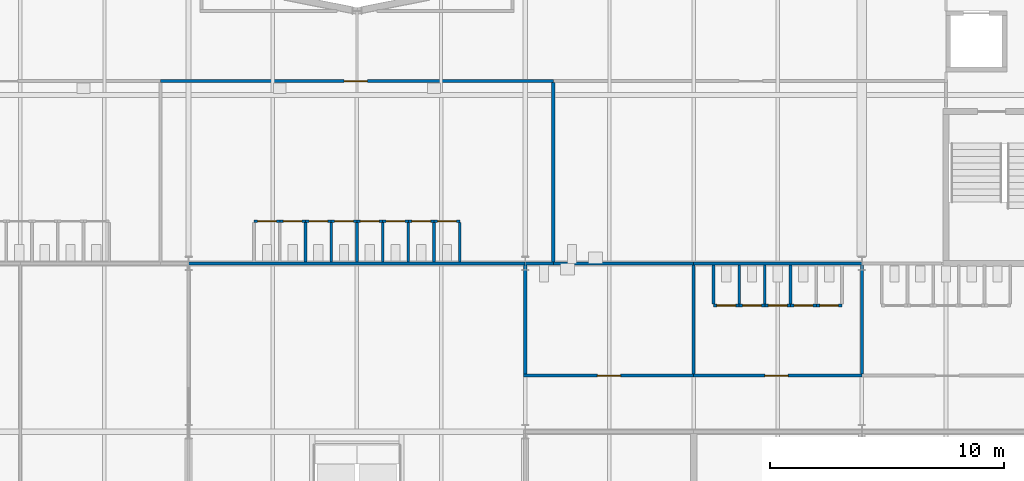
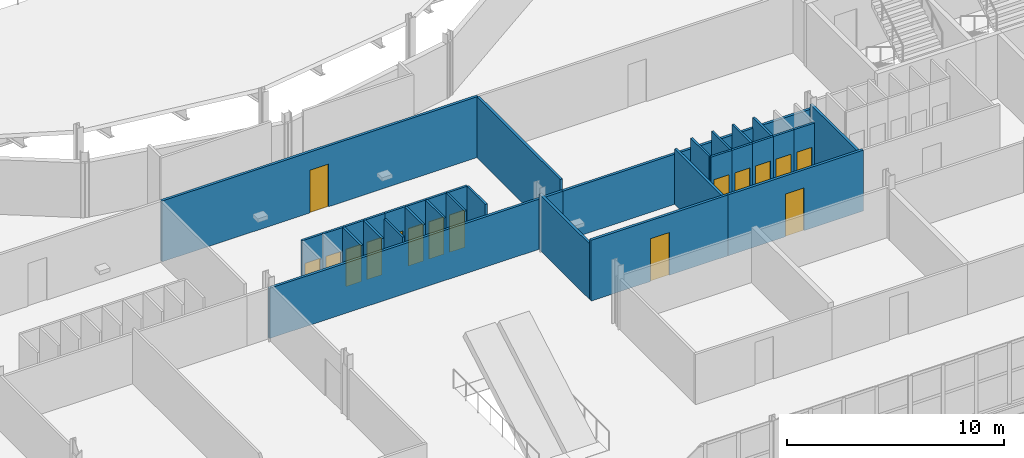
# One storey, part 65 of 124: 35 walls, 16 doors, 16 openings.
"""IFC4 building model written with IfcOpenShell, lengths in metres."""

import ifcopenshell
import ifcopenshell.guid

model = None  # the IFC model being written
_history = None  # IfcOwnerHistory: only IFC2X3 demands one
_inside = {}  # id of a spatial element -> (the spatial element, [elements in it])
_under = {}  # id of a project, library or spatial element -> (it, [spatial elements below it])
_declared = {}  # id of a project -> (the project, [libraries it declares])
_typed = {}  # id of a type object -> (the type object, [elements of that type])
_made_of = {}  # id of a material, layer set ... -> (it, [elements and type objects made of it])


def new_model(schema):
    """Start an empty IFC model of exactly this schema.

    Asked for "IFC4X3", IfcOpenShell would pick the latest addendum, in which some entities
    have other attributes; the version numbers below select the first issue.
    IFC2X3 requires an IfcOwnerHistory on every rooted entity: one is made here for all.
    """
    global model, _history
    if schema == "IFC4X3":
        model = ifcopenshell.file(schema_version=(4, 3, 0, 0))
    else:
        model = ifcopenshell.file(schema=schema)
    _inside.clear()
    _under.clear()
    _declared.clear()
    _typed.clear()
    _made_of.clear()
    _history = None
    if model.schema == "IFC2X3":
        org = make("IfcOrganization", Name="unknown")
        user = make(
            "IfcPersonAndOrganization",
            ThePerson=make("IfcPerson", FamilyName="unknown"),
            TheOrganization=org,
        )
        app = make(
            "IfcApplication",
            ApplicationDeveloper=org,
            Version="unknown",
            ApplicationFullName="unknown",
            ApplicationIdentifier="unknown",
        )
        _history = make(
            "IfcOwnerHistory",
            OwningUser=user,
            OwningApplication=app,
            ChangeAction="ADDED",
            CreationDate=0,
        )
    return model


def make(cls, **values):
    """One entity of the class cls with the attributes given. An attribute that is None is left unset."""
    return model.create_entity(
        cls, **{name: value for name, value in values.items() if value is not None}
    )


def rooted(cls, **values):
    """An entity with a GlobalId (a new one), such as an element, a storey or a relation."""
    return make(cls, GlobalId=ifcopenshell.guid.new(), OwnerHistory=_history, **values)


def si_unit(unit_type, name, prefix=None):
    """IfcSIUnit, for example si_unit("LENGTHUNIT", "METRE", prefix="MILLI")."""
    return make("IfcSIUnit", UnitType=unit_type, Prefix=prefix, Name=name)


def assignment(units):
    """IfcUnitAssignment: the units of a project."""
    return None if units is None else make("IfcUnitAssignment", Units=units)


def point(xyz):
    """IfcCartesianPoint."""
    return None if xyz is None else make("IfcCartesianPoint", Coordinates=xyz)


def direction(xyz):
    """IfcDirection."""
    return None if xyz is None else make("IfcDirection", DirectionRatios=xyz)


def frame(location, z_axis=None, x_axis=None):
    """IfcAxis2Placement3D, a coordinate frame: its origin and axes. An axis left out is left unset."""
    return make(
        "IfcAxis2Placement3D",
        Location=point(location),
        Axis=direction(z_axis),
        RefDirection=direction(x_axis),
    )


def frame_2d(location, x_axis=None):
    """IfcAxis2Placement2D, a coordinate frame in the plane: its origin and x axis."""
    return make(
        "IfcAxis2Placement2D", Location=point(location), RefDirection=direction(x_axis)
    )


def origin():
    """The frame at (0, 0, 0) with its axes left unset."""
    return frame((0.0, 0.0, 0.0))


def place(relative_to, where):
    """IfcLocalPlacement: puts the frame where relative to a parent placement (None: the world)."""
    return make(
        "IfcLocalPlacement", PlacementRelTo=relative_to, RelativePlacement=where
    )


def context(
    kind, dimensions, precision=None, world=None, true_north=None, identifier=None
):
    """IfcGeometricRepresentationContext, for example the 3D "Model" context."""
    return make(
        "IfcGeometricRepresentationContext",
        ContextIdentifier=identifier,
        ContextType=kind,
        CoordinateSpaceDimension=dimensions,
        Precision=precision,
        WorldCoordinateSystem=world,
        TrueNorth=true_north,
    )


def subcontext(parent, identifier, kind, view, scale=None):
    """IfcGeometricRepresentationSubContext, for example "Body" below "Model"."""
    return make(
        "IfcGeometricRepresentationSubContext",
        ContextIdentifier=identifier,
        ContextType=kind,
        ParentContext=parent,
        TargetScale=scale,
        TargetView=view,
    )


def project(units=None, contexts=None):
    """IfcProject with its units and contexts."""
    return rooted(
        "IfcProject",
        Name="project",
        RepresentationContexts=contexts,
        UnitsInContext=assignment(units),
    )


def spatial(cls, under=None, at=None, **own):
    """A site, building, storey or space (cls), placed at a placement, below another one or the project."""
    s = rooted(cls, ObjectPlacement=at, **own)
    if under is not None:
        _under.setdefault(under.id(), (under, []))[1].append(s)
    return s


def profile(cls, at=None, kind="AREA", **sizes):
    """A parametric profile (cls). Its sizes go by their IFC names, for example OverallWidth=200.0."""
    return make(cls, ProfileType=kind, Position=at, **sizes)


def rectangle(**sizes):
    """IfcRectangleProfileDef."""
    return profile("IfcRectangleProfileDef", **sizes)


def extrude(swept, where, along, depth):
    """IfcExtrudedAreaSolid: the profile swept, set in the frame where, extruded along a direction by depth."""
    return make(
        "IfcExtrudedAreaSolid",
        SweptArea=swept,
        Position=where,
        ExtrudedDirection=direction(along),
        Depth=depth,
    )


def shape(context_of_items, identifier, shape_type, items):
    """IfcShapeRepresentation: the items that make up one representation, for example the "Body"."""
    return make(
        "IfcShapeRepresentation",
        ContextOfItems=context_of_items,
        RepresentationIdentifier=identifier,
        RepresentationType=shape_type,
        Items=items,
    )


def material(Name=None, Category=None):
    """IfcMaterial."""
    return make("IfcMaterial", Name=Name, Category=Category)


def layer(
    of_material, thickness, ventilated=None, Name=None, Category=None, Priority=None
):
    """IfcMaterialLayer: one layer of a wall or slab, of a material (None: an air gap)."""
    return make(
        "IfcMaterialLayer",
        Material=of_material,
        LayerThickness=thickness,
        IsVentilated=ventilated,
        Name=Name,
        Category=Category,
        Priority=Priority,
    )


def layer_set(layers, Name=None):
    """IfcMaterialLayerSet."""
    return make("IfcMaterialLayerSet", MaterialLayers=layers, LayerSetName=Name)


def made_of(thing, what):
    """Note that an element or type object is made of a material, layer set ...; save() writes the relation."""
    if what is not None:
        _made_of.setdefault(what.id(), (what, []))[1].append(thing)
    return thing


def type_object(cls, material=None, **own):
    """A type object (cls), such as IfcWallType, which elements share."""
    return made_of(rooted(cls, **own), material)


def element(
    cls,
    number,
    at=None,
    inside=None,
    cuts=None,
    type_object=None,
    material=None,
    context=None,
    identifier="Body",
    shape_type=None,
    held_by="IfcProductDefinitionShape",
    body=None,
    shapes=None,
    **own,
):
    """One element of the class cls, such as IfcWall. Its Tag is "e" and its number.

    at: its placement. inside: the storey or other place that contains it. cuts: it is an
    opening in that element (IfcRelVoidsElement). A single representation is given by context,
    identifier, shape_type and body (its items); several are given by shapes. held_by: the class
    of the entity that holds the representations. save() writes the other relations.
    """
    e = rooted(cls, Tag="e%d" % number, ObjectPlacement=at, **own)
    if body is not None:
        shapes = [shape(context, identifier, shape_type, body)]
    if shapes is not None:
        e.Representation = make(held_by, Representations=shapes)
    if inside is not None:
        _inside.setdefault(inside.id(), (inside, []))[1].append(e)
    if cuts is not None:
        rooted(
            "IfcRelVoidsElement", RelatingBuildingElement=cuts, RelatedOpeningElement=e
        )
    if type_object is not None:
        _typed.setdefault(type_object.id(), (type_object, []))[1].append(e)
    return made_of(e, material)


def fill(opening, filler):
    """IfcRelFillsElement: the door or window that sits in an opening."""
    return rooted(
        "IfcRelFillsElement",
        RelatingOpeningElement=opening,
        RelatedBuildingElement=filler,
    )


def aggregate(whole, parts):
    """IfcRelAggregates: a whole, such as a stair, and the parts it consists of."""
    return rooted("IfcRelAggregates", RelatingObject=whole, RelatedObjects=parts)


def save(model, path):
    """Write the relations noted so far, then the file.

    IfcRelAggregates (storeys below a building ...), IfcRelContainedInSpatialStructure (elements
    in a storey), IfcRelDefinesByType, IfcRelAssociatesMaterial and IfcRelDeclares: one each for
    every whole, place, type object, material and project.
    """
    for whole, parts in _under.values():
        aggregate(whole, parts)
    for where, things in _inside.values():
        rooted(
            "IfcRelContainedInSpatialStructure",
            RelatedElements=things,
            RelatingStructure=where,
        )
    for kind, things in _typed.values():
        rooted("IfcRelDefinesByType", RelatedObjects=things, RelatingType=kind)
    for what, things in _made_of.values():
        rooted("IfcRelAssociatesMaterial", RelatedObjects=things, RelatingMaterial=what)
    for by, libraries in _declared.values():
        rooted("IfcRelDeclares", RelatingContext=by, RelatedDefinitions=libraries)
    model.write(path)


model = new_model("IFC4")

# Units and contexts
model_context = context("Model", 3, precision=1e-05, world=origin(), true_north=direction((0.0, 1.0)))
body_context = subcontext(model_context, "Body", "Model", "MODEL_VIEW")
ifc_project = project(units=[si_unit("LENGTHUNIT", "METRE"), si_unit("AREAUNIT", "SQUARE_METRE"), si_unit("VOLUMEUNIT", "CUBIC_METRE"), si_unit("PLANEANGLEUNIT", "RADIAN"), si_unit("MASSUNIT", "GRAM", prefix="KILO")], contexts=[model_context])

# Site, building, storey
site_placement = place(None, origin())
site = spatial("IfcSite", under=ifc_project, at=site_placement, CompositionType="ELEMENT")
building_placement = place(site_placement, origin())
building = spatial("IfcBuilding", under=site, at=building_placement, Name="Kupolbacken Congress Centre", CompositionType="ELEMENT")
storey_placement = place(building_placement, frame((0.0, 0.0, 10.800048828125)))
storey = spatial("IfcBuildingStorey", under=building, at=storey_placement, Name="L03", CompositionType="ELEMENT", Elevation=10.800048828125)

# Wall, opening, door
ifc_material_1 = material(Name="Gypsum board", Category="drywall")
ifc_layer_1 = layer(ifc_material_1, 0.114990234375)
ifc_layer_set_1 = layer_set([ifc_layer_1], Name="Gypsum board")
wall_type_1 = type_object("IfcWallType", Name="P04 partition 115", PredefinedType="PARTITIONING", material=ifc_layer_set_1)
wall_1_placement = place(storey_placement, frame((58.449951171875, 48.60009765625, 0.0), z_axis=(0.0, 0.0, 1.0), x_axis=(1.0, 0.0, 0.0)))
wall_1 = element("IfcWall", 1, at=wall_1_placement, inside=storey, type_object=wall_type_1, Name="PD/L03/F-WC-02/cub01/F", PredefinedType="PARTITIONING", context=body_context, shape_type="SweptSolid", body=[
    extrude(rectangle(XDim=1.10009765625, YDim=0.114990234375, at=frame_2d((0.550048828125, 0.0))), origin(), (0.0, 0.0, 1.0), 3.419921875),
])
opening_1_placement = place(wall_1_placement, frame((0.14990234375, 0.0, 0.0)))
opening_1 = element("IfcOpeningElement", 2, at=opening_1_placement, cuts=wall_1, Name="Opening 3.WF69", PredefinedType="OPENING", context=body_context, shape_type="SweptSolid", body=[
    extrude(rectangle(XDim=0.800048828125, YDim=2.10009765625, at=frame_2d((0.39990234375, 1.050048828125))), frame((0.0, 0.0673828125, 0.0), z_axis=(0.0, -1.0, 0.0), x_axis=(1.0, 0.0, 0.0)), (0.0, 0.0, 1.0), 0.135009765625),
])
ifc_material_2 = material(Name="Timber door leaf", Category="wood")
door_type_1 = type_object("IfcDoorType", Name="D2 door 800x2100", OperationType="SINGLE_SWING_LEFT", PredefinedType="DOOR", material=ifc_material_2)
door_1_placement = place(opening_1_placement, origin())
door_1 = element("IfcDoor", 3, at=door_1_placement, inside=storey, type_object=door_type_1, Name="PD/L03/F-WC-02/cub01/F/DC", OperationType="SINGLE_SWING_RIGHT", OverallHeight=2.10009765625, OverallWidth=0.800048828125, PredefinedType="DOOR", context=body_context, shape_type="SweptSolid", body=[
    extrude(rectangle(XDim=0.800048828125, YDim=2.10009765625, at=frame_2d((0.39990234375, 1.050048828125))), frame((0.0, 0.02490234375, 0.0), z_axis=(0.0, -1.0, 0.0), x_axis=(1.0, 0.0, 0.0)), (0.0, 0.0, 1.0), 0.050048828125),
])
fill(opening_1, door_1)

# Wall
wall_2_placement = place(storey_placement, frame((58.449951171875, 50.342529296875, 0.0), z_axis=(0.0, 0.0, 1.0), x_axis=(0.0, -1.0, 0.0)))
element("IfcWall", 4, at=wall_2_placement, inside=storey, type_object=wall_type_1, Name="PD/L03/F-WC-02/cub01/a", PredefinedType="PARTITIONING", context=body_context, shape_type="SweptSolid", body=[
    extrude(rectangle(XDim=1.68505859375, YDim=0.114990234375, at=frame_2d((0.842529296875, 0.0))), origin(), (0.0, 0.0, 1.0), 3.419921875),
])

# Wall, opening, door
wall_3_placement = place(storey_placement, frame((59.550048828125, 48.60009765625, 0.0), z_axis=(0.0, 0.0, 1.0), x_axis=(1.0, 0.0, 0.0)))
wall_3 = element("IfcWall", 5, at=wall_3_placement, inside=storey, type_object=wall_type_1, Name="PD/L03/F-WC-02/cub02/F", PredefinedType="PARTITIONING", context=body_context, shape_type="SweptSolid", body=[
    extrude(rectangle(XDim=1.099853515625, YDim=0.114990234375, at=frame_2d((0.5498046875, 0.0))), origin(), (0.0, 0.0, 1.0), 3.419921875),
])
opening_2_placement = place(wall_3_placement, frame((0.14990234375, 0.0, 0.0)))
opening_2 = element("IfcOpeningElement", 6, at=opening_2_placement, cuts=wall_3, Name="Opening 3.WF70", PredefinedType="OPENING", context=body_context, shape_type="SweptSolid", body=[
    extrude(rectangle(XDim=0.800048828125, YDim=2.10009765625, at=frame_2d((0.39990234375, 1.050048828125))), frame((0.0, 0.0673828125, 0.0), z_axis=(0.0, -1.0, 0.0), x_axis=(1.0, 0.0, 0.0)), (0.0, 0.0, 1.0), 0.135009765625),
])
door_2_placement = place(opening_2_placement, origin())
door_2 = element("IfcDoor", 7, at=door_2_placement, inside=storey, type_object=door_type_1, Name="PD/L03/F-WC-02/cub02/F/DC", OperationType="SINGLE_SWING_LEFT", OverallHeight=2.10009765625, OverallWidth=0.800048828125, PredefinedType="DOOR", context=body_context, shape_type="SweptSolid", body=[
    extrude(rectangle(XDim=0.800048828125, YDim=2.10009765625, at=frame_2d((0.39990234375, 1.050048828125))), frame((0.0, 0.02490234375, 0.0), z_axis=(0.0, -1.0, 0.0), x_axis=(1.0, 0.0, 0.0)), (0.0, 0.0, 1.0), 0.050048828125),
])
fill(opening_2, door_2)

# Wall
wall_4_placement = place(storey_placement, frame((59.550048828125, 50.342529296875, 0.0), z_axis=(0.0, 0.0, 1.0), x_axis=(0.0, -1.0, 0.0)))
element("IfcWall", 8, at=wall_4_placement, inside=storey, type_object=wall_type_1, Name="PD/L03/F-WC-02/cub02/a", PredefinedType="PARTITIONING", context=body_context, shape_type="SweptSolid", body=[
    extrude(rectangle(XDim=1.68505859375, YDim=0.114990234375, at=frame_2d((0.842529296875, 0.0))), origin(), (0.0, 0.0, 1.0), 3.419921875),
])

# Wall, opening, door
wall_5_placement = place(storey_placement, frame((60.64990234375, 48.60009765625, 0.0), z_axis=(0.0, 0.0, 1.0), x_axis=(1.0, 0.0, 0.0)))
wall_5 = element("IfcWall", 9, at=wall_5_placement, inside=storey, type_object=wall_type_1, Name="PD/L03/F-WC-02/cub03/F", PredefinedType="PARTITIONING", context=body_context, shape_type="SweptSolid", body=[
    extrude(rectangle(XDim=1.10009765625, YDim=0.114990234375, at=frame_2d((0.550048828125, 0.0))), origin(), (0.0, 0.0, 1.0), 3.419921875),
])
opening_3_placement = place(wall_5_placement, frame((0.14990234375, 0.0, 0.0)))
opening_3 = element("IfcOpeningElement", 10, at=opening_3_placement, cuts=wall_5, Name="Opening 3.WF71", PredefinedType="OPENING", context=body_context, shape_type="SweptSolid", body=[
    extrude(rectangle(XDim=0.800048828125, YDim=2.10009765625, at=frame_2d((0.39990234375, 1.050048828125))), frame((0.0, 0.0673828125, 0.0), z_axis=(0.0, -1.0, 0.0), x_axis=(1.0, 0.0, 0.0)), (0.0, 0.0, 1.0), 0.135009765625),
])
door_3_placement = place(opening_3_placement, origin())
door_3 = element("IfcDoor", 11, at=door_3_placement, inside=storey, type_object=door_type_1, Name="PD/L03/F-WC-02/cub03/F/DC", OperationType="SINGLE_SWING_RIGHT", OverallHeight=2.10009765625, OverallWidth=0.800048828125, PredefinedType="DOOR", context=body_context, shape_type="SweptSolid", body=[
    extrude(rectangle(XDim=0.800048828125, YDim=2.10009765625, at=frame_2d((0.39990234375, 1.050048828125))), frame((0.0, 0.02490234375, 0.0), z_axis=(0.0, -1.0, 0.0), x_axis=(1.0, 0.0, 0.0)), (0.0, 0.0, 1.0), 0.050048828125),
])
fill(opening_3, door_3)

# Wall
wall_6_placement = place(storey_placement, frame((60.64990234375, 50.342529296875, 0.0), z_axis=(0.0, 0.0, 1.0), x_axis=(0.0, -1.0, 0.0)))
element("IfcWall", 12, at=wall_6_placement, inside=storey, type_object=wall_type_1, Name="PD/L03/F-WC-02/cub03/a", PredefinedType="PARTITIONING", context=body_context, shape_type="SweptSolid", body=[
    extrude(rectangle(XDim=1.68505859375, YDim=0.114990234375, at=frame_2d((0.842529296875, 0.0))), origin(), (0.0, 0.0, 1.0), 3.419921875),
])

# Wall, opening, door
wall_7_placement = place(storey_placement, frame((61.75, 48.60009765625, 0.0), z_axis=(0.0, 0.0, 1.0), x_axis=(1.0, 0.0, 0.0)))
wall_7 = element("IfcWall", 13, at=wall_7_placement, inside=storey, type_object=wall_type_1, Name="PD/L03/F-WC-02/cub04/F", PredefinedType="PARTITIONING", context=body_context, shape_type="SweptSolid", body=[
    extrude(rectangle(XDim=1.10009765625, YDim=0.114990234375, at=frame_2d((0.550048828125, 0.0))), origin(), (0.0, 0.0, 1.0), 3.419921875),
])
opening_4_placement = place(wall_7_placement, frame((0.14990234375, 0.0, 0.0)))
opening_4 = element("IfcOpeningElement", 14, at=opening_4_placement, cuts=wall_7, Name="Opening 3.WF72", PredefinedType="OPENING", context=body_context, shape_type="SweptSolid", body=[
    extrude(rectangle(XDim=0.800048828125, YDim=2.10009765625, at=frame_2d((0.39990234375, 1.050048828125))), frame((0.0, 0.0673828125, 0.0), z_axis=(0.0, -1.0, 0.0), x_axis=(1.0, 0.0, 0.0)), (0.0, 0.0, 1.0), 0.135009765625),
])
door_4_placement = place(opening_4_placement, origin())
door_4 = element("IfcDoor", 15, at=door_4_placement, inside=storey, type_object=door_type_1, Name="PD/L03/F-WC-02/cub04/F/DC", OperationType="SINGLE_SWING_LEFT", OverallHeight=2.10009765625, OverallWidth=0.800048828125, PredefinedType="DOOR", context=body_context, shape_type="SweptSolid", body=[
    extrude(rectangle(XDim=0.800048828125, YDim=2.10009765625, at=frame_2d((0.39990234375, 1.050048828125))), frame((0.0, 0.02490234375, 0.0), z_axis=(0.0, -1.0, 0.0), x_axis=(1.0, 0.0, 0.0)), (0.0, 0.0, 1.0), 0.050048828125),
])
fill(opening_4, door_4)

# Wall
wall_8_placement = place(storey_placement, frame((61.75, 50.342529296875, 0.0), z_axis=(0.0, 0.0, 1.0), x_axis=(0.0, -1.0, 0.0)))
element("IfcWall", 16, at=wall_8_placement, inside=storey, type_object=wall_type_1, Name="PD/L03/F-WC-02/cub04/a", PredefinedType="PARTITIONING", context=body_context, shape_type="SweptSolid", body=[
    extrude(rectangle(XDim=1.68505859375, YDim=0.114990234375, at=frame_2d((0.842529296875, 0.0))), origin(), (0.0, 0.0, 1.0), 3.419921875),
])

# Wall, opening, door
wall_9_placement = place(storey_placement, frame((62.85009765625, 48.60009765625, 0.0), z_axis=(0.0, 0.0, 1.0), x_axis=(1.0, 0.0, 0.0)))
wall_9 = element("IfcWall", 17, at=wall_9_placement, inside=storey, type_object=wall_type_1, Name="PD/L03/F-WC-02/cub05/F", PredefinedType="PARTITIONING", context=body_context, shape_type="SweptSolid", body=[
    extrude(rectangle(XDim=1.099853515625, YDim=0.114990234375, at=frame_2d((0.5498046875, 0.0))), origin(), (0.0, 0.0, 1.0), 3.419921875),
])
opening_5_placement = place(wall_9_placement, frame((0.14990234375, 0.0, 0.0)))
opening_5 = element("IfcOpeningElement", 18, at=opening_5_placement, cuts=wall_9, Name="Opening 3.WF73", PredefinedType="OPENING", context=body_context, shape_type="SweptSolid", body=[
    extrude(rectangle(XDim=0.800048828125, YDim=2.10009765625, at=frame_2d((0.39990234375, 1.050048828125))), frame((0.0, 0.0673828125, 0.0), z_axis=(0.0, -1.0, 0.0), x_axis=(1.0, 0.0, 0.0)), (0.0, 0.0, 1.0), 0.135009765625),
])
door_5_placement = place(opening_5_placement, origin())
door_5 = element("IfcDoor", 19, at=door_5_placement, inside=storey, type_object=door_type_1, Name="PD/L03/F-WC-02/cub05/F/DC", OperationType="SINGLE_SWING_LEFT", OverallHeight=2.10009765625, OverallWidth=0.800048828125, PredefinedType="DOOR", context=body_context, shape_type="SweptSolid", body=[
    extrude(rectangle(XDim=0.800048828125, YDim=2.10009765625, at=frame_2d((0.39990234375, 1.050048828125))), frame((0.0, 0.02490234375, 0.0), z_axis=(0.0, -1.0, 0.0), x_axis=(1.0, 0.0, 0.0)), (0.0, 0.0, 1.0), 0.050048828125),
])
fill(opening_5, door_5)

wall_10_placement = place(storey_placement, frame((38.800048828125, 52.199951171875, 0.0), z_axis=(0.0, 0.0, 1.0), x_axis=(1.0, 0.0, 0.0)))
wall_10 = element("IfcWall", 20, at=wall_10_placement, inside=storey, type_object=wall_type_1, Name="PD/L03/P-32-14/cub01/F", PredefinedType="PARTITIONING", context=body_context, shape_type="SweptSolid", body=[
    extrude(rectangle(XDim=1.099853515625, YDim=0.114990234375, at=frame_2d((0.5498046875, 0.0))), origin(), (0.0, 0.0, 1.0), 3.419921875),
])
opening_6_placement = place(wall_10_placement, frame((0.14990234375, 0.0, 0.0)))
opening_6 = element("IfcOpeningElement", 21, at=opening_6_placement, cuts=wall_10, Name="Opening 3.WP87", PredefinedType="OPENING", context=body_context, shape_type="SweptSolid", body=[
    extrude(rectangle(XDim=0.800048828125, YDim=2.10009765625, at=frame_2d((0.39990234375, 1.050048828125))), frame((0.0, 0.0673828125, 0.0), z_axis=(0.0, -1.0, 0.0), x_axis=(1.0, 0.0, 0.0)), (0.0, 0.0, 1.0), 0.135009765625),
])
door_6_placement = place(opening_6_placement, origin())
door_6 = element("IfcDoor", 22, at=door_6_placement, inside=storey, type_object=door_type_1, Name="PD/L03/P-32-14/cub01/F/DC", OperationType="SINGLE_SWING_LEFT", OverallHeight=2.10009765625, OverallWidth=0.800048828125, PredefinedType="DOOR", context=body_context, shape_type="SweptSolid", body=[
    extrude(rectangle(XDim=0.800048828125, YDim=2.10009765625, at=frame_2d((0.39990234375, 1.050048828125))), frame((0.0, 0.02490234375, 0.0), z_axis=(0.0, -1.0, 0.0), x_axis=(1.0, 0.0, 0.0)), (0.0, 0.0, 1.0), 0.050048828125),
])
fill(opening_6, door_6)

wall_11_placement = place(storey_placement, frame((39.89990234375, 52.199951171875, 0.0), z_axis=(0.0, 0.0, 1.0), x_axis=(1.0, 0.0, 0.0)))
wall_11 = element("IfcWall", 23, at=wall_11_placement, inside=storey, type_object=wall_type_1, Name="PD/L03/P-32-14/cub02/F", PredefinedType="PARTITIONING", context=body_context, shape_type="SweptSolid", body=[
    extrude(rectangle(XDim=1.10009765625, YDim=0.114990234375, at=frame_2d((0.550048828125, 0.0))), origin(), (0.0, 0.0, 1.0), 3.419921875),
])
opening_7_placement = place(wall_11_placement, frame((0.14990234375, 0.0, 0.0)))
opening_7 = element("IfcOpeningElement", 24, at=opening_7_placement, cuts=wall_11, Name="Opening 3.WP88", PredefinedType="OPENING", context=body_context, shape_type="SweptSolid", body=[
    extrude(rectangle(XDim=0.800048828125, YDim=2.10009765625, at=frame_2d((0.39990234375, 1.050048828125))), frame((0.0, 0.0673828125, 0.0), z_axis=(0.0, -1.0, 0.0), x_axis=(1.0, 0.0, 0.0)), (0.0, 0.0, 1.0), 0.135009765625),
])
door_7_placement = place(opening_7_placement, origin())
door_7 = element("IfcDoor", 25, at=door_7_placement, inside=storey, type_object=door_type_1, Name="PD/L03/P-32-14/cub02/F/DC", OperationType="SINGLE_SWING_RIGHT", OverallHeight=2.10009765625, OverallWidth=0.800048828125, PredefinedType="DOOR", context=body_context, shape_type="SweptSolid", body=[
    extrude(rectangle(XDim=0.800048828125, YDim=2.10009765625, at=frame_2d((0.39990234375, 1.050048828125))), frame((0.0, 0.02490234375, 0.0), z_axis=(0.0, -1.0, 0.0), x_axis=(1.0, 0.0, 0.0)), (0.0, 0.0, 1.0), 0.050048828125),
])
fill(opening_7, door_7)

wall_12_placement = place(storey_placement, frame((41.0, 52.199951171875, 0.0), z_axis=(0.0, 0.0, 1.0), x_axis=(1.0, 0.0, 0.0)))
wall_12 = element("IfcWall", 26, at=wall_12_placement, inside=storey, type_object=wall_type_1, Name="PD/L03/P-32-14/cub03/F", PredefinedType="PARTITIONING", context=body_context, shape_type="SweptSolid", body=[
    extrude(rectangle(XDim=1.10009765625, YDim=0.114990234375, at=frame_2d((0.550048828125, 0.0))), origin(), (0.0, 0.0, 1.0), 3.419921875),
])
opening_8_placement = place(wall_12_placement, frame((0.14990234375, 0.0, 0.0)))
opening_8 = element("IfcOpeningElement", 27, at=opening_8_placement, cuts=wall_12, Name="Opening 3.WP89", PredefinedType="OPENING", context=body_context, shape_type="SweptSolid", body=[
    extrude(rectangle(XDim=0.800048828125, YDim=2.10009765625, at=frame_2d((0.39990234375, 1.050048828125))), frame((0.0, 0.0673828125, 0.0), z_axis=(0.0, -1.0, 0.0), x_axis=(1.0, 0.0, 0.0)), (0.0, 0.0, 1.0), 0.135009765625),
])
door_8_placement = place(opening_8_placement, origin())
door_8 = element("IfcDoor", 28, at=door_8_placement, inside=storey, type_object=door_type_1, Name="PD/L03/P-32-14/cub03/F/DC", OperationType="SINGLE_SWING_RIGHT", OverallHeight=2.10009765625, OverallWidth=0.800048828125, PredefinedType="DOOR", context=body_context, shape_type="SweptSolid", body=[
    extrude(rectangle(XDim=0.800048828125, YDim=2.10009765625, at=frame_2d((0.39990234375, 1.050048828125))), frame((0.0, 0.02490234375, 0.0), z_axis=(0.0, -1.0, 0.0), x_axis=(1.0, 0.0, 0.0)), (0.0, 0.0, 1.0), 0.050048828125),
])
fill(opening_8, door_8)

# Wall
wall_13_placement = place(storey_placement, frame((41.0, 50.45751953125, 0.0), z_axis=(0.0, 0.0, 1.0), x_axis=(0.0, 1.0, 0.0)))
element("IfcWall", 29, at=wall_13_placement, inside=storey, type_object=wall_type_1, Name="PD/L03/P-32-14/cub03/a", PredefinedType="PARTITIONING", context=body_context, shape_type="SweptSolid", body=[
    extrude(rectangle(XDim=1.68505859375, YDim=0.114990234375, at=frame_2d((0.842529296875, 0.0))), origin(), (0.0, 0.0, 1.0), 3.419921875),
])

# Wall, opening, door
wall_14_placement = place(storey_placement, frame((42.10009765625, 52.199951171875, 0.0), z_axis=(0.0, 0.0, 1.0), x_axis=(1.0, 0.0, 0.0)))
wall_14 = element("IfcWall", 30, at=wall_14_placement, inside=storey, type_object=wall_type_1, Name="PD/L03/P-32-14/cub04/F", PredefinedType="PARTITIONING", context=body_context, shape_type="SweptSolid", body=[
    extrude(rectangle(XDim=1.099853515625, YDim=0.114990234375, at=frame_2d((0.5498046875, 0.0))), origin(), (0.0, 0.0, 1.0), 3.419921875),
])
opening_9_placement = place(wall_14_placement, frame((0.14990234375, 0.0, 0.0)))
opening_9 = element("IfcOpeningElement", 31, at=opening_9_placement, cuts=wall_14, Name="Opening 3.WP90", PredefinedType="OPENING", context=body_context, shape_type="SweptSolid", body=[
    extrude(rectangle(XDim=0.800048828125, YDim=2.10009765625, at=frame_2d((0.39990234375, 1.050048828125))), frame((0.0, 0.0673828125, 0.0), z_axis=(0.0, -1.0, 0.0), x_axis=(1.0, 0.0, 0.0)), (0.0, 0.0, 1.0), 0.135009765625),
])
door_9_placement = place(opening_9_placement, origin())
door_9 = element("IfcDoor", 32, at=door_9_placement, inside=storey, type_object=door_type_1, Name="PD/L03/P-32-14/cub04/F/DC", OperationType="SINGLE_SWING_LEFT", OverallHeight=2.10009765625, OverallWidth=0.800048828125, PredefinedType="DOOR", context=body_context, shape_type="SweptSolid", body=[
    extrude(rectangle(XDim=0.800048828125, YDim=2.10009765625, at=frame_2d((0.39990234375, 1.050048828125))), frame((0.0, 0.02490234375, 0.0), z_axis=(0.0, -1.0, 0.0), x_axis=(1.0, 0.0, 0.0)), (0.0, 0.0, 1.0), 0.050048828125),
])
fill(opening_9, door_9)

# Wall
wall_15_placement = place(storey_placement, frame((42.10009765625, 50.45751953125, 0.0), z_axis=(0.0, 0.0, 1.0), x_axis=(0.0, 1.0, 0.0)))
element("IfcWall", 33, at=wall_15_placement, inside=storey, type_object=wall_type_1, Name="PD/L03/P-32-14/cub04/a", PredefinedType="PARTITIONING", context=body_context, shape_type="SweptSolid", body=[
    extrude(rectangle(XDim=1.68505859375, YDim=0.114990234375, at=frame_2d((0.842529296875, 0.0))), origin(), (0.0, 0.0, 1.0), 3.419921875),
])

# Wall, opening, door
wall_16_placement = place(storey_placement, frame((43.199951171875, 52.199951171875, 0.0), z_axis=(0.0, 0.0, 1.0), x_axis=(1.0, 0.0, 0.0)))
wall_16 = element("IfcWall", 34, at=wall_16_placement, inside=storey, type_object=wall_type_1, Name="PD/L03/P-32-14/cub05/F", PredefinedType="PARTITIONING", context=body_context, shape_type="SweptSolid", body=[
    extrude(rectangle(XDim=1.10009765625, YDim=0.114990234375, at=frame_2d((0.550048828125, 0.0))), origin(), (0.0, 0.0, 1.0), 3.419921875),
])
opening_10_placement = place(wall_16_placement, frame((0.14990234375, 0.0, 0.0)))
opening_10 = element("IfcOpeningElement", 35, at=opening_10_placement, cuts=wall_16, Name="Opening 3.WP91", PredefinedType="OPENING", context=body_context, shape_type="SweptSolid", body=[
    extrude(rectangle(XDim=0.800048828125, YDim=2.10009765625, at=frame_2d((0.39990234375, 1.050048828125))), frame((0.0, 0.0673828125, 0.0), z_axis=(0.0, -1.0, 0.0), x_axis=(1.0, 0.0, 0.0)), (0.0, 0.0, 1.0), 0.135009765625),
])
door_10_placement = place(opening_10_placement, origin())
door_10 = element("IfcDoor", 36, at=door_10_placement, inside=storey, type_object=door_type_1, Name="PD/L03/P-32-14/cub05/F/DC", OperationType="SINGLE_SWING_LEFT", OverallHeight=2.10009765625, OverallWidth=0.800048828125, PredefinedType="DOOR", context=body_context, shape_type="SweptSolid", body=[
    extrude(rectangle(XDim=0.800048828125, YDim=2.10009765625, at=frame_2d((0.39990234375, 1.050048828125))), frame((0.0, 0.02490234375, 0.0), z_axis=(0.0, -1.0, 0.0), x_axis=(1.0, 0.0, 0.0)), (0.0, 0.0, 1.0), 0.050048828125),
])
fill(opening_10, door_10)

# Wall
wall_17_placement = place(storey_placement, frame((43.199951171875, 50.45751953125, 0.0), z_axis=(0.0, 0.0, 1.0), x_axis=(0.0, 1.0, 0.0)))
element("IfcWall", 37, at=wall_17_placement, inside=storey, type_object=wall_type_1, Name="PD/L03/P-32-14/cub05/a", PredefinedType="PARTITIONING", context=body_context, shape_type="SweptSolid", body=[
    extrude(rectangle(XDim=1.68505859375, YDim=0.114990234375, at=frame_2d((0.842529296875, 0.0))), origin(), (0.0, 0.0, 1.0), 3.119873046875),
])

# Wall, opening, door
wall_18_placement = place(storey_placement, frame((44.300048828125, 52.199951171875, 0.0), z_axis=(0.0, 0.0, 1.0), x_axis=(1.0, 0.0, 0.0)))
wall_18 = element("IfcWall", 38, at=wall_18_placement, inside=storey, type_object=wall_type_1, Name="PD/L03/P-32-14/cub06/F", PredefinedType="PARTITIONING", context=body_context, shape_type="SweptSolid", body=[
    extrude(rectangle(XDim=1.099853515625, YDim=0.114990234375, at=frame_2d((0.5498046875, 0.0))), origin(), (0.0, 0.0, 1.0), 3.419921875),
])
opening_11_placement = place(wall_18_placement, frame((0.14990234375, 0.0, 0.0)))
opening_11 = element("IfcOpeningElement", 39, at=opening_11_placement, cuts=wall_18, Name="Opening 3.WP92", PredefinedType="OPENING", context=body_context, shape_type="SweptSolid", body=[
    extrude(rectangle(XDim=0.800048828125, YDim=2.10009765625, at=frame_2d((0.39990234375, 1.050048828125))), frame((0.0, 0.0673828125, 0.0), z_axis=(0.0, -1.0, 0.0), x_axis=(1.0, 0.0, 0.0)), (0.0, 0.0, 1.0), 0.135009765625),
])
door_11_placement = place(opening_11_placement, origin())
door_11 = element("IfcDoor", 40, at=door_11_placement, inside=storey, type_object=door_type_1, Name="PD/L03/P-32-14/cub06/F/DC", OperationType="SINGLE_SWING_RIGHT", OverallHeight=2.10009765625, OverallWidth=0.800048828125, PredefinedType="DOOR", context=body_context, shape_type="SweptSolid", body=[
    extrude(rectangle(XDim=0.800048828125, YDim=2.10009765625, at=frame_2d((0.39990234375, 1.050048828125))), frame((0.0, 0.02490234375, 0.0), z_axis=(0.0, -1.0, 0.0), x_axis=(1.0, 0.0, 0.0)), (0.0, 0.0, 1.0), 0.050048828125),
])
fill(opening_11, door_11)

# Wall
wall_19_placement = place(storey_placement, frame((44.300048828125, 50.45751953125, 0.0), z_axis=(0.0, 0.0, 1.0), x_axis=(0.0, 1.0, 0.0)))
element("IfcWall", 41, at=wall_19_placement, inside=storey, type_object=wall_type_1, Name="PD/L03/P-32-14/cub06/a", PredefinedType="PARTITIONING", context=body_context, shape_type="SweptSolid", body=[
    extrude(rectangle(XDim=1.68505859375, YDim=0.114990234375, at=frame_2d((0.842529296875, 0.0))), origin(), (0.0, 0.0, 1.0), 3.419921875),
])

# Wall, opening, door
wall_20_placement = place(storey_placement, frame((45.39990234375, 52.199951171875, 0.0), z_axis=(0.0, 0.0, 1.0), x_axis=(1.0, 0.0, 0.0)))
wall_20 = element("IfcWall", 42, at=wall_20_placement, inside=storey, type_object=wall_type_1, Name="PD/L03/P-32-14/cub07/F", PredefinedType="PARTITIONING", context=body_context, shape_type="SweptSolid", body=[
    extrude(rectangle(XDim=1.10009765625, YDim=0.114990234375, at=frame_2d((0.550048828125, 0.0))), origin(), (0.0, 0.0, 1.0), 3.419921875),
])
opening_12_placement = place(wall_20_placement, frame((0.14990234375, 0.0, 0.0)))
opening_12 = element("IfcOpeningElement", 43, at=opening_12_placement, cuts=wall_20, Name="Opening 3.WP93", PredefinedType="OPENING", context=body_context, shape_type="SweptSolid", body=[
    extrude(rectangle(XDim=0.800048828125, YDim=2.10009765625, at=frame_2d((0.39990234375, 1.050048828125))), frame((0.0, 0.0673828125, 0.0), z_axis=(0.0, -1.0, 0.0), x_axis=(1.0, 0.0, 0.0)), (0.0, 0.0, 1.0), 0.135009765625),
])
door_12_placement = place(opening_12_placement, origin())
door_12 = element("IfcDoor", 44, at=door_12_placement, inside=storey, type_object=door_type_1, Name="PD/L03/P-32-14/cub07/F/DC", OperationType="SINGLE_SWING_LEFT", OverallHeight=2.10009765625, OverallWidth=0.800048828125, PredefinedType="DOOR", context=body_context, shape_type="SweptSolid", body=[
    extrude(rectangle(XDim=0.800048828125, YDim=2.10009765625, at=frame_2d((0.39990234375, 1.050048828125))), frame((0.0, 0.02490234375, 0.0), z_axis=(0.0, -1.0, 0.0), x_axis=(1.0, 0.0, 0.0)), (0.0, 0.0, 1.0), 0.050048828125),
])
fill(opening_12, door_12)

# Wall
wall_21_placement = place(storey_placement, frame((45.39990234375, 50.45751953125, 0.0), z_axis=(0.0, 0.0, 1.0), x_axis=(0.0, 1.0, 0.0)))
element("IfcWall", 45, at=wall_21_placement, inside=storey, type_object=wall_type_1, Name="PD/L03/P-32-14/cub07/a", PredefinedType="PARTITIONING", context=body_context, shape_type="SweptSolid", body=[
    extrude(rectangle(XDim=1.68505859375, YDim=0.114990234375, at=frame_2d((0.842529296875, 0.0))), origin(), (0.0, 0.0, 1.0), 3.419921875),
])

# Wall, opening, door
wall_22_placement = place(storey_placement, frame((46.5, 52.199951171875, 0.0), z_axis=(0.0, 0.0, 1.0), x_axis=(1.0, 0.0, 0.0)))
wall_22 = element("IfcWall", 46, at=wall_22_placement, inside=storey, type_object=wall_type_1, Name="PD/L03/P-32-14/cub08/F", PredefinedType="PARTITIONING", context=body_context, shape_type="SweptSolid", body=[
    extrude(rectangle(XDim=1.10009765625, YDim=0.114990234375, at=frame_2d((0.550048828125, 0.0))), origin(), (0.0, 0.0, 1.0), 3.419921875),
])
opening_13_placement = place(wall_22_placement, frame((0.14990234375, 0.0, 0.0)))
opening_13 = element("IfcOpeningElement", 47, at=opening_13_placement, cuts=wall_22, Name="Opening 3.WP94", PredefinedType="OPENING", context=body_context, shape_type="SweptSolid", body=[
    extrude(rectangle(XDim=0.800048828125, YDim=2.10009765625, at=frame_2d((0.39990234375, 1.050048828125))), frame((0.0, 0.0673828125, 0.0), z_axis=(0.0, -1.0, 0.0), x_axis=(1.0, 0.0, 0.0)), (0.0, 0.0, 1.0), 0.135009765625),
])
door_13_placement = place(opening_13_placement, origin())
door_13 = element("IfcDoor", 48, at=door_13_placement, inside=storey, type_object=door_type_1, Name="PD/L03/P-32-14/cub08/F/DC", OperationType="SINGLE_SWING_LEFT", OverallHeight=2.10009765625, OverallWidth=0.800048828125, PredefinedType="DOOR", context=body_context, shape_type="SweptSolid", body=[
    extrude(rectangle(XDim=0.800048828125, YDim=2.10009765625, at=frame_2d((0.39990234375, 1.050048828125))), frame((0.0, 0.02490234375, 0.0), z_axis=(0.0, -1.0, 0.0), x_axis=(1.0, 0.0, 0.0)), (0.0, 0.0, 1.0), 0.050048828125),
])
fill(opening_13, door_13)

# Walls
for number, where, z_axis, x_axis, name in (
    (49, (46.5, 50.45751953125, 0.0), (0.0, 0.0, 1.0), (0.0, 1.0, 0.0), "PD/L03/P-32-14/cub08/a"),
    (50, (47.60009765625, 50.45751953125, 0.0), (0.0, 0.0, 1.0), (0.0, 1.0, 0.0), "PD/L03/P-32-14/cub08/b"),
):
    element("IfcWall", number, at=place(storey_placement, frame(where, z_axis=z_axis, x_axis=x_axis)), inside=storey, type_object=wall_type_1, Name=name, PredefinedType="PARTITIONING", context=body_context, shape_type="SweptSolid", body=[
        extrude(rectangle(XDim=1.68505859375, YDim=0.114990234375, at=frame_2d((0.842529296875, 0.0))), origin(), (0.0, 0.0, 1.0), 3.419921875),
    ])
ifc_material_3 = material(Name="Gypsum board", Category="drywall")
ifc_layer_2 = layer(ifc_material_3, 0.135009765625)
ifc_layer_set_2 = layer_set([ifc_layer_2], Name="Gypsum board")
wall_type_2 = type_object("IfcWallType", Name="P06 compartment wall 135", PredefinedType="PARTITIONING", material=ifc_layer_set_2)
wall_23_placement = place(storey_placement, frame((50.39990234375, 50.33251953125, 0.0), z_axis=(0.0, 0.0, 1.0), x_axis=(0.0, -1.0, 0.0)))
element("IfcWall", 51, at=wall_23_placement, inside=storey, type_object=wall_type_2, Name="PD/L03/W033", PredefinedType="PARTITIONING", context=body_context, shape_type="SweptSolid", body=[
    extrude(rectangle(XDim=4.6650390625, YDim=0.135009765625, at=frame_2d((2.33251953125, 0.0))), origin(), (0.0, 0.0, 1.0), 3.119873046875),
])
wall_24_placement = place(storey_placement, frame((36.0, 50.39990234375, 0.0), z_axis=(0.0, 0.0, 1.0), x_axis=(1.0, 0.0, 0.0)))
element("IfcWall", 52, at=wall_24_placement, inside=storey, type_object=wall_type_2, Name="PD/L03/W034", PredefinedType="PARTITIONING", context=body_context, shape_type="SweptSolid", body=[
    extrude(rectangle(XDim=14.39990234375, YDim=0.135009765625, at=frame_2d((7.199951171875, 0.0))), origin(), (0.0, 0.0, 1.0), 2.820068359375),
])

# Wall, opening, door
wall_25_placement = place(storey_placement, frame((50.33251953125, 45.60009765625, 0.0), z_axis=(0.0, 0.0, 1.0), x_axis=(1.0, 0.0, 0.0)))
wall_25 = element("IfcWall", 53, at=wall_25_placement, inside=storey, type_object=wall_type_2, Name="PD/L03/W040", PredefinedType="PARTITIONING", context=body_context, shape_type="SweptSolid", body=[
    extrude(rectangle(XDim=7.267578125, YDim=0.135009765625, at=frame_2d((3.6337890625, 0.0))), origin(), (0.0, 0.0, 1.0), 3.419921875),
])
opening_14_placement = place(wall_25_placement, frame((3.14990234375, 0.0, 0.0)))
opening_14 = element("IfcOpeningElement", 54, at=opening_14_placement, cuts=wall_25, Name="Opening 3.F13", PredefinedType="OPENING", context=body_context, shape_type="SweptSolid", body=[
    extrude(rectangle(XDim=1.0, YDim=2.39990234375, at=frame_2d((0.5, 1.199951171875))), frame((0.0, 0.077392578125, 0.0), z_axis=(0.0, -1.0, 0.0), x_axis=(1.0, 0.0, 0.0)), (0.0, 0.0, 1.0), 0.155029296875),
])
ifc_material_4 = material(Name="Steel fire door leaf", Category="steel")
door_type_2 = type_object("IfcDoorType", Name="D8 fire door 1000x2400", OperationType="SINGLE_SWING_LEFT", PredefinedType="DOOR", material=ifc_material_4)
door_14_placement = place(opening_14_placement, frame((1.0, 0.0, 0.0), z_axis=(0.0, 0.0, 1.0), x_axis=(-1.0, 0.0, 0.0)))
door_14 = element("IfcDoor", 55, at=door_14_placement, inside=storey, type_object=door_type_2, Name="PD/L03/W040/D3F13", OperationType="SINGLE_SWING_RIGHT", OverallHeight=2.39990234375, OverallWidth=1.0, PredefinedType="DOOR", context=body_context, shape_type="SweptSolid", body=[
    extrude(rectangle(XDim=1.0, YDim=2.39990234375, at=frame_2d((0.5, 1.199951171875))), frame((0.0, 0.02490234375, 0.0), z_axis=(0.0, -1.0, 0.0), x_axis=(1.0, 0.0, 0.0)), (0.0, 0.0, 1.0), 0.050048828125),
])
fill(opening_14, door_14)

wall_26_placement = place(storey_placement, frame((57.60009765625, 45.60009765625, 0.0), z_axis=(0.0, 0.0, 1.0), x_axis=(1.0, 0.0, 0.0)))
wall_26 = element("IfcWall", 56, at=wall_26_placement, inside=storey, type_object=wall_type_2, Name="PD/L03/W041", PredefinedType="PARTITIONING", context=body_context, shape_type="SweptSolid", body=[
    extrude(rectangle(XDim=7.199951171875, YDim=0.135009765625, at=frame_2d((3.60009765625, 0.0))), origin(), (0.0, 0.0, 1.0), 3.419921875),
])
opening_15_placement = place(wall_26_placement, frame((3.050048828125, 0.0, 0.0)))
opening_15 = element("IfcOpeningElement", 57, at=opening_15_placement, cuts=wall_26, Name="Opening 3.F14", PredefinedType="OPENING", context=body_context, shape_type="SweptSolid", body=[
    extrude(rectangle(XDim=1.0, YDim=2.39990234375, at=frame_2d((0.5, 1.199951171875))), frame((0.0, 0.077392578125, 0.0), z_axis=(0.0, -1.0, 0.0), x_axis=(1.0, 0.0, 0.0)), (0.0, 0.0, 1.0), 0.155029296875),
])
door_15_placement = place(opening_15_placement, frame((1.0, 0.0, 0.0), z_axis=(0.0, 0.0, 1.0), x_axis=(-1.0, 0.0, 0.0)))
door_15 = element("IfcDoor", 58, at=door_15_placement, inside=storey, type_object=door_type_2, Name="PD/L03/W041/D3F14", OperationType="SINGLE_SWING_LEFT", OverallHeight=2.39990234375, OverallWidth=1.0, PredefinedType="DOOR", context=body_context, shape_type="SweptSolid", body=[
    extrude(rectangle(XDim=1.0, YDim=2.39990234375, at=frame_2d((0.5, 1.199951171875))), frame((0.0, 0.02490234375, 0.0), z_axis=(0.0, -1.0, 0.0), x_axis=(1.0, 0.0, 0.0)), (0.0, 0.0, 1.0), 0.050048828125),
])
fill(opening_15, door_15)

# Walls
wall_27_placement = place(storey_placement, frame((57.60009765625, 50.33251953125, 0.0), z_axis=(0.0, 0.0, 1.0), x_axis=(0.0, -1.0, 0.0)))
element("IfcWall", 59, at=wall_27_placement, inside=storey, type_object=wall_type_2, Name="PD/L03/W043", PredefinedType="PARTITIONING", context=body_context, shape_type="SweptSolid", body=[
    extrude(rectangle(XDim=4.6650390625, YDim=0.135009765625, at=frame_2d((2.33251953125, 0.0))), origin(), (0.0, 0.0, 1.0), 3.119873046875),
])
wall_28_placement = place(storey_placement, frame((50.39990234375, 50.39990234375, 0.0), z_axis=(0.0, 0.0, 1.0), x_axis=(1.0, 0.0, 0.0)))
element("IfcWall", 60, at=wall_28_placement, inside=storey, type_object=wall_type_2, Name="PD/L03/W044", PredefinedType="PARTITIONING", context=body_context, shape_type="SweptSolid", body=[
    extrude(rectangle(XDim=1.2001953125, YDim=0.135009765625, at=frame_2d((0.60009765625, 0.0))), origin(), (0.0, 0.0, 1.0), 2.820068359375),
])
wall_29_placement = place(storey_placement, frame((51.60009765625, 50.39990234375, 0.0), z_axis=(0.0, 0.0, 1.0), x_axis=(1.0, 0.0, 0.0)))
element("IfcWall", 61, at=wall_29_placement, inside=storey, type_object=wall_type_2, Name="PD/L03/W045", PredefinedType="PARTITIONING", context=body_context, shape_type="SweptSolid", body=[
    extrude(rectangle(XDim=6.0, YDim=0.135009765625, at=frame_2d((3.0, 0.0))), origin(), (0.0, 0.0, 1.0), 2.820068359375),
])
wall_30_placement = place(storey_placement, frame((64.800048828125, 50.33251953125, 0.0), z_axis=(0.0, 0.0, 1.0), x_axis=(0.0, -1.0, 0.0)))
element("IfcWall", 62, at=wall_30_placement, inside=storey, type_object=wall_type_2, Name="PD/L03/W046", PredefinedType="PARTITIONING", context=body_context, shape_type="SweptSolid", body=[
    extrude(rectangle(XDim=4.6650390625, YDim=0.135009765625, at=frame_2d((2.33251953125, 0.0))), origin(), (0.0, 0.0, 1.0), 3.119873046875),
])
wall_31_placement = place(storey_placement, frame((57.60009765625, 50.39990234375, 0.0), z_axis=(0.0, 0.0, 1.0), x_axis=(1.0, 0.0, 0.0)))
element("IfcWall", 63, at=wall_31_placement, inside=storey, type_object=wall_type_2, Name="PD/L03/W047", PredefinedType="PARTITIONING", context=body_context, shape_type="SweptSolid", body=[
    extrude(rectangle(XDim=7.199951171875, YDim=0.135009765625, at=frame_2d((3.60009765625, 0.0))), origin(), (0.0, 0.0, 1.0), 2.820068359375),
])
wall_32_placement = place(storey_placement, frame((51.60009765625, 58.132568359375, 0.0), z_axis=(0.0, 0.0, 1.0), x_axis=(0.0, -1.0, 0.0)))
element("IfcWall", 64, at=wall_32_placement, inside=storey, type_object=wall_type_2, Name="PD/L03/W077", PredefinedType="PARTITIONING", context=body_context, shape_type="SweptSolid", body=[
    extrude(rectangle(XDim=7.6650390625, YDim=0.135009765625, at=frame_2d((3.83251953125, 0.0))), origin(), (0.0, 0.0, 1.0), 3.419921875),
])

# Wall, opening, door
wall_33_placement = place(storey_placement, frame((34.800048828125, 58.199951171875, 0.0), z_axis=(0.0, 0.0, 1.0), x_axis=(1.0, 0.0, 0.0)))
wall_33 = element("IfcWall", 65, at=wall_33_placement, inside=storey, type_object=wall_type_2, Name="PD/L03/W078", PredefinedType="PARTITIONING", context=body_context, shape_type="SweptSolid", body=[
    extrude(rectangle(XDim=16.800048828125, YDim=0.135009765625, at=frame_2d((8.39990234375, 0.0))), origin(), (0.0, 0.0, 1.0), 3.419921875),
])
opening_16_placement = place(wall_33_placement, frame((7.85009765625, 0.0, 0.0)))
opening_16 = element("IfcOpeningElement", 66, at=opening_16_placement, cuts=wall_33, Name="Opening 3.P20", PredefinedType="OPENING", context=body_context, shape_type="SweptSolid", body=[
    extrude(rectangle(XDim=1.0, YDim=2.39990234375, at=frame_2d((0.5, 1.199951171875))), frame((0.0, 0.077392578125, 0.0), z_axis=(0.0, -1.0, 0.0), x_axis=(1.0, 0.0, 0.0)), (0.0, 0.0, 1.0), 0.155029296875),
])
door_16_placement = place(opening_16_placement, frame((1.0, 0.0, 0.0), z_axis=(0.0, 0.0, 1.0), x_axis=(-1.0, 0.0, 0.0)))
door_16 = element("IfcDoor", 67, at=door_16_placement, inside=storey, type_object=door_type_2, Name="PD/L03/W078/D3P20", OperationType="SINGLE_SWING_RIGHT", OverallHeight=2.39990234375, OverallWidth=1.0, PredefinedType="DOOR", context=body_context, shape_type="SweptSolid", body=[
    extrude(rectangle(XDim=1.0, YDim=2.39990234375, at=frame_2d((0.5, 1.199951171875))), frame((0.0, 0.02490234375, 0.0), z_axis=(0.0, -1.0, 0.0), x_axis=(1.0, 0.0, 0.0)), (0.0, 0.0, 1.0), 0.050048828125),
])
fill(opening_16, door_16)

save(model, "model.ifc")
